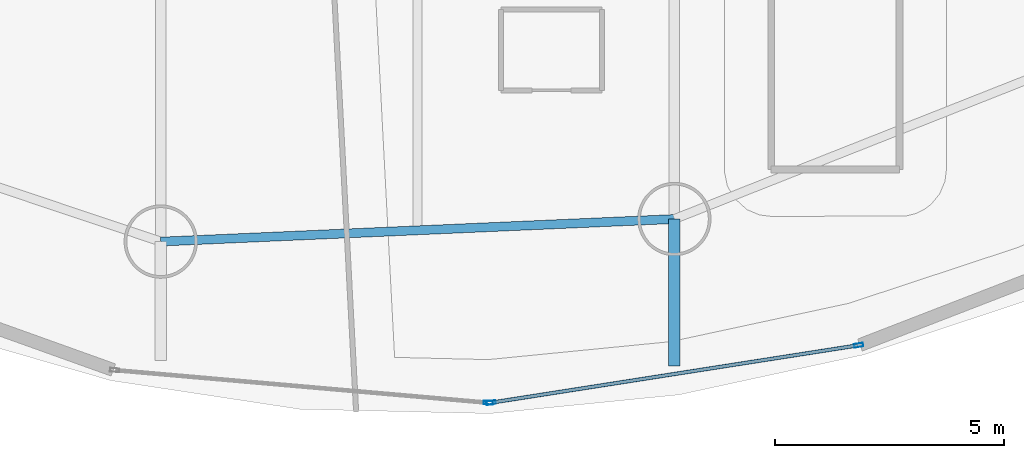
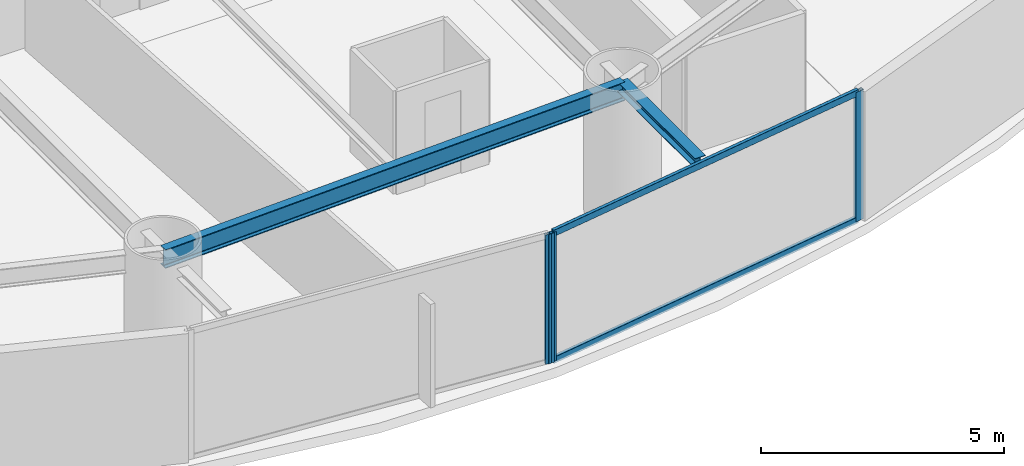
# One storey, part 8 of 24: 5 members, 2 beams, 2 elements without a shape of their own.
"""IFC4 building model written with IfcOpenShell, lengths in metres."""

from ifc_helpers import new_model, si_unit, direction, frame, origin, origin_2d, place, context, subcontext, project, spatial, hollow_rectangle, i_section, extrude, material, layer, layer_set, material_profile, profile_set, type_object, element, aggregate, save


model = new_model("IFC4")

# Units and contexts
model_context = context("Model", 3, precision=1e-05, world=origin(), true_north=direction((0.0, 1.0)))
body_context = subcontext(model_context, "Body", "Model", "MODEL_VIEW")
ifc_project = project(units=[si_unit("LENGTHUNIT", "METRE"), si_unit("AREAUNIT", "SQUARE_METRE"), si_unit("VOLUMEUNIT", "CUBIC_METRE"), si_unit("PLANEANGLEUNIT", "RADIAN"), si_unit("MASSUNIT", "GRAM", prefix="KILO")], contexts=[model_context])

# Site, building, storey
site_placement = place(None, origin())
site = spatial("IfcSite", under=ifc_project, at=site_placement, CompositionType="ELEMENT")
building_placement = place(site_placement, origin())
building = spatial("IfcBuilding", under=site, at=building_placement, Name="Bramvorn Convention Spire", CompositionType="ELEMENT")
storey_placement = place(building_placement, frame((0.0, 0.0, 83.39990234375)))
storey = spatial("IfcBuildingStorey", under=building, at=storey_placement, Name="L19", CompositionType="ELEMENT", Elevation=83.39990234375)

# Beams
ifc_material_1 = material(Name="Steel CSA G40.21 Grade 350 (350W)", Category="steel")
ifc_material_profile_1 = material_profile(ifc_material_1, i_section(OverallWidth=0.25390625, OverallDepth=0.2529296875, WebThickness=0.008544921875, FlangeThickness=0.01416015625, FilletRadius=0.011962890625, at=origin_2d()))
ifc_profile_set_1 = profile_set([ifc_material_profile_1], Name="Steel CSA G40.21 Grade 350 (350W) - W250X73")
beam_type_1 = type_object("IfcBeamType", Name="BM-W250X73", PredefinedType="BEAM", material=ifc_profile_set_1)
beam_1_placement = place(storey_placement, frame((46.23779296875, 5.42333984375, 3.12353515625), z_axis=(0.0, -1.0, 0.0), x_axis=(1.0, 0.0, 0.0)))
element("IfcBeam", 1, at=beam_1_placement, inside=storey, type_object=beam_type_1, Name="L19 slab-edge cantilever tip beam MC14", PredefinedType="BEAM", context=body_context, shape_type="SweptSolid", body=[
    extrude(i_section(OverallWidth=0.25390625, OverallDepth=0.2529296875, WebThickness=0.008544921875, FlangeThickness=0.01416015625, FilletRadius=0.011962890625, at=origin_2d()), origin(), (0.0, 0.0, 1.0), 3.199951171875),
])
ifc_material_profile_2 = material_profile(ifc_material_1, i_section(OverallWidth=0.194091796875, OverallDepth=0.468994140625, WebThickness=0.0126953125, FlangeThickness=0.0205078125, FilletRadius=0.01806640625, at=origin_2d()))
ifc_profile_set_2 = profile_set([ifc_material_profile_2], Name="Steel CSA G40.21 Grade 350 (350W) - W460X106")
beam_type_2 = type_object("IfcBeamType", Name="BM-W460X106", PredefinedType="SPANDREL", material=ifc_profile_set_2)
beam_2_placement = place(storey_placement, frame((35.0390625, 4.93115234375, 3.015625), z_axis=(0.999035582762, 0.043907907889, 0.0), x_axis=(-0.043907907889, 0.999035582762, 0.0)))
element("IfcBeam", 2, at=beam_2_placement, inside=storey, type_object=beam_type_2, Name="L19 mega-column ring beam 13", PredefinedType="SPANDREL", context=body_context, shape_type="SweptSolid", body=[
    extrude(i_section(OverallWidth=0.194091796875, OverallDepth=0.468994140625, WebThickness=0.0126953125, FlangeThickness=0.0205078125, FilletRadius=0.01806640625, at=origin_2d()), origin(), (0.0, 0.0, 1.0), 11.20947265625),
])

# Curtain wall, member
ifc_material_2 = material(Name="Anodised Bronze Unitised Curtain Wall", Category="aluminium")
ifc_layer = layer(ifc_material_2, 0.179931640625)
ifc_layer_set = layer_set([ifc_layer], Name="Anodised Bronze Unitised Curtain Wall - CW-HTL-FRIT")
curtain_wall_type = type_object("IfcCurtainWallType", Name="CW-HTL-FRIT", PredefinedType="USERDEFINED", material=ifc_layer_set)
curtain_wall_1_placement = place(storey_placement, origin())
curtain_wall_1 = element("IfcCurtainWall", 3, at=curtain_wall_1_placement, inside=storey, type_object=curtain_wall_type, Name="L19 fritted glass curtain wall 19", ObjectType="UNITISED CURTAIN WALL", PredefinedType="USERDEFINED")
ifc_material_3 = material(Name="Anodised Bronze Aluminium 6063-T6", Category="aluminium")
ifc_material_profile_3 = material_profile(ifc_material_3, hollow_rectangle(XDim=0.080078125, YDim=0.199951171875, WallThickness=0.00390625, InnerFilletRadius=0.0009765625, OuterFilletRadius=0.00390625, at=origin_2d()))
ifc_profile_set_3 = profile_set([ifc_material_profile_3], Name="Anodised Bronze Aluminium 6063-T6 - CWM80X200")
member_type_1 = type_object("IfcMemberType", Name="CW-MUL-180", PredefinedType="MULLION", material=ifc_profile_set_3)
member_1_placement = place(storey_placement, frame((42.182861328125, 1.41748046875, 0.0), z_axis=(0.0, 0.0, 1.0), x_axis=(-0.087048489533, -0.996204075714, 0.0)))
member_1 = element("IfcMember", 4, at=member_1_placement, type_object=member_type_1, Name="CW2 mullion 1", PredefinedType="MULLION", context=body_context, shape_type="SweptSolid", body=[
    extrude(hollow_rectangle(XDim=0.080078125, YDim=0.199951171875, WallThickness=0.00390625, InnerFilletRadius=0.0009765625, OuterFilletRadius=0.00390625, at=origin_2d()), origin(), (0.0, 0.0, 1.0), 3.25),
])
aggregate(curtain_wall_1, [member_1])

# Curtain wall, members
curtain_wall_2_placement = place(storey_placement, origin())
curtain_wall_2 = element("IfcCurtainWall", 5, at=curtain_wall_2_placement, inside=storey, type_object=curtain_wall_type, Name="L19 fritted glass curtain wall 20", ObjectType="UNITISED CURTAIN WALL", PredefinedType="USERDEFINED")
member_2_placement = place(storey_placement, frame((50.255859375, 2.671142578125, 0.0), z_axis=(0.0, 0.0, 1.0), x_axis=(0.154306317406, -0.988023056618, 0.0)))
member_2 = element("IfcMember", 6, at=member_2_placement, type_object=member_type_1, Name="CW2 mullion 1", PredefinedType="MULLION", context=body_context, shape_type="SweptSolid", body=[
    extrude(hollow_rectangle(XDim=0.080078125, YDim=0.199951171875, WallThickness=0.00390625, InnerFilletRadius=0.0009765625, OuterFilletRadius=0.00390625, at=origin_2d()), origin(), (0.0, 0.0, 1.0), 3.25),
])
member_3_placement = place(storey_placement, frame((42.242431640625, 1.41943359375, 0.0), z_axis=(0.0, 0.0, 1.0), x_axis=(0.154306317406, -0.988023056618, 0.0)))
member_3 = element("IfcMember", 7, at=member_3_placement, type_object=member_type_1, Name="CW2 mullion 2", PredefinedType="MULLION", context=body_context, shape_type="SweptSolid", body=[
    extrude(hollow_rectangle(XDim=0.080078125, YDim=0.199951171875, WallThickness=0.00390625, InnerFilletRadius=0.0009765625, OuterFilletRadius=0.00390625, at=origin_2d()), origin(), (0.0, 0.0, 1.0), 3.25),
])
ifc_material_profile_4 = material_profile(ifc_material_3, hollow_rectangle(XDim=0.080078125, YDim=0.159912109375, WallThickness=0.00390625, InnerFilletRadius=0.0009765625, OuterFilletRadius=0.00390625, at=origin_2d()))
ifc_profile_set_4 = profile_set([ifc_material_profile_4], Name="Anodised Bronze Aluminium 6063-T6 - CWT80X160")
member_type_2 = type_object("IfcMemberType", Name="CW-TRN-150", PredefinedType="USERDEFINED", material=ifc_profile_set_4)
member_4_placement = place(storey_placement, frame((50.226318359375, 2.66650390625, 0.030029296875), z_axis=(-0.988020271274, -0.154324150901, 0.0), x_axis=(0.154324150901, -0.988020271274, 0.0)))
member_4 = element("IfcMember", 8, at=member_4_placement, type_object=member_type_2, Name="CW2 transom 1.1", ObjectType="TRANSOM", PredefinedType="USERDEFINED", context=body_context, shape_type="SweptSolid", body=[
    extrude(hollow_rectangle(XDim=0.080078125, YDim=0.159912109375, WallThickness=0.00390625, InnerFilletRadius=0.0009765625, OuterFilletRadius=0.00390625, at=origin_2d()), origin(), (0.0, 0.0, 1.0), 8.05078125),
])
member_5_placement = place(storey_placement, frame((50.226318359375, 2.66650390625, 3.22021484375), z_axis=(-0.988020271274, -0.154324150901, 0.0), x_axis=(0.154324150901, -0.988020271274, 0.0)))
member_5 = element("IfcMember", 9, at=member_5_placement, type_object=member_type_2, Name="CW2 transom 1.2", ObjectType="TRANSOM", PredefinedType="USERDEFINED", context=body_context, shape_type="SweptSolid", body=[
    extrude(hollow_rectangle(XDim=0.080078125, YDim=0.159912109375, WallThickness=0.00390625, InnerFilletRadius=0.0009765625, OuterFilletRadius=0.00390625, at=origin_2d()), origin(), (0.0, 0.0, 1.0), 8.05078125),
])
aggregate(curtain_wall_2, [member_2, member_3, member_4, member_5])

save(model, "model.ifc")
